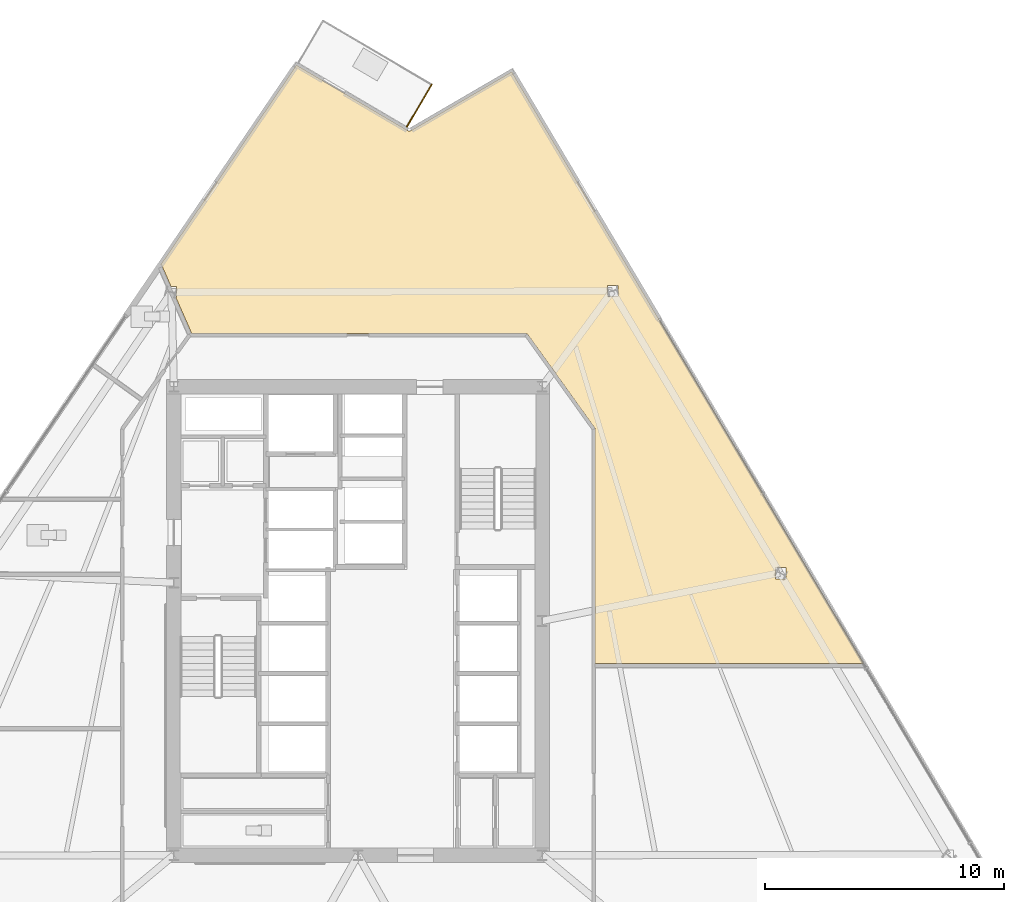
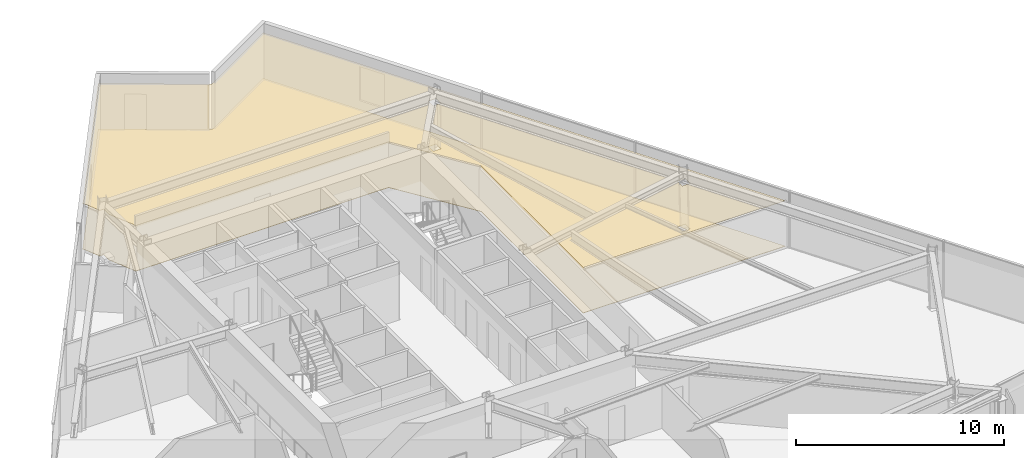
# One storey, part 17 of 18: 2 coverings, 1 railing.
"""IFC4 building model written with IfcOpenShell, lengths in metres."""

import ifcopenshell
import ifcopenshell.guid

model = None  # the IFC model being written
_history = None  # IfcOwnerHistory: only IFC2X3 demands one
_inside = {}  # id of a spatial element -> (the spatial element, [elements in it])
_under = {}  # id of a project, library or spatial element -> (it, [spatial elements below it])
_declared = {}  # id of a project -> (the project, [libraries it declares])
_typed = {}  # id of a type object -> (the type object, [elements of that type])
_made_of = {}  # id of a material, layer set ... -> (it, [elements and type objects made of it])


def new_model(schema):
    """Start an empty IFC model of exactly this schema.

    Asked for "IFC4X3", IfcOpenShell would pick the latest addendum, in which some entities
    have other attributes; the version numbers below select the first issue.
    IFC2X3 requires an IfcOwnerHistory on every rooted entity: one is made here for all.
    """
    global model, _history
    if schema == "IFC4X3":
        model = ifcopenshell.file(schema_version=(4, 3, 0, 0))
    else:
        model = ifcopenshell.file(schema=schema)
    _inside.clear()
    _under.clear()
    _declared.clear()
    _typed.clear()
    _made_of.clear()
    _history = None
    if model.schema == "IFC2X3":
        org = make("IfcOrganization", Name="unknown")
        user = make(
            "IfcPersonAndOrganization",
            ThePerson=make("IfcPerson", FamilyName="unknown"),
            TheOrganization=org,
        )
        app = make(
            "IfcApplication",
            ApplicationDeveloper=org,
            Version="unknown",
            ApplicationFullName="unknown",
            ApplicationIdentifier="unknown",
        )
        _history = make(
            "IfcOwnerHistory",
            OwningUser=user,
            OwningApplication=app,
            ChangeAction="ADDED",
            CreationDate=0,
        )
    return model


def make(cls, **values):
    """One entity of the class cls with the attributes given. An attribute that is None is left unset."""
    return model.create_entity(
        cls, **{name: value for name, value in values.items() if value is not None}
    )


def rooted(cls, **values):
    """An entity with a GlobalId (a new one), such as an element, a storey or a relation."""
    return make(cls, GlobalId=ifcopenshell.guid.new(), OwnerHistory=_history, **values)


def si_unit(unit_type, name, prefix=None):
    """IfcSIUnit, for example si_unit("LENGTHUNIT", "METRE", prefix="MILLI")."""
    return make("IfcSIUnit", UnitType=unit_type, Prefix=prefix, Name=name)


def assignment(units):
    """IfcUnitAssignment: the units of a project."""
    return None if units is None else make("IfcUnitAssignment", Units=units)


def point(xyz):
    """IfcCartesianPoint."""
    return None if xyz is None else make("IfcCartesianPoint", Coordinates=xyz)


def direction(xyz):
    """IfcDirection."""
    return None if xyz is None else make("IfcDirection", DirectionRatios=xyz)


def frame(location, z_axis=None, x_axis=None):
    """IfcAxis2Placement3D, a coordinate frame: its origin and axes. An axis left out is left unset."""
    return make(
        "IfcAxis2Placement3D",
        Location=point(location),
        Axis=direction(z_axis),
        RefDirection=direction(x_axis),
    )


def frame_2d(location, x_axis=None):
    """IfcAxis2Placement2D, a coordinate frame in the plane: its origin and x axis."""
    return make(
        "IfcAxis2Placement2D", Location=point(location), RefDirection=direction(x_axis)
    )


def origin():
    """The frame at (0, 0, 0) with its axes left unset."""
    return frame((0.0, 0.0, 0.0))


def origin_2d():
    """The frame at (0, 0) in the plane with its x axis left unset."""
    return frame_2d((0.0, 0.0))


def place(relative_to, where):
    """IfcLocalPlacement: puts the frame where relative to a parent placement (None: the world)."""
    return make(
        "IfcLocalPlacement", PlacementRelTo=relative_to, RelativePlacement=where
    )


def context(
    kind, dimensions, precision=None, world=None, true_north=None, identifier=None
):
    """IfcGeometricRepresentationContext, for example the 3D "Model" context."""
    return make(
        "IfcGeometricRepresentationContext",
        ContextIdentifier=identifier,
        ContextType=kind,
        CoordinateSpaceDimension=dimensions,
        Precision=precision,
        WorldCoordinateSystem=world,
        TrueNorth=true_north,
    )


def subcontext(parent, identifier, kind, view, scale=None):
    """IfcGeometricRepresentationSubContext, for example "Body" below "Model"."""
    return make(
        "IfcGeometricRepresentationSubContext",
        ContextIdentifier=identifier,
        ContextType=kind,
        ParentContext=parent,
        TargetScale=scale,
        TargetView=view,
    )


def project(units=None, contexts=None):
    """IfcProject with its units and contexts."""
    return rooted(
        "IfcProject",
        Name="project",
        RepresentationContexts=contexts,
        UnitsInContext=assignment(units),
    )


def spatial(cls, under=None, at=None, **own):
    """A site, building, storey or space (cls), placed at a placement, below another one or the project."""
    s = rooted(cls, ObjectPlacement=at, **own)
    if under is not None:
        _under.setdefault(under.id(), (under, []))[1].append(s)
    return s


def polyline(points):
    """IfcPolyline through the points."""
    return make("IfcPolyline", Points=[point(p) for p in points])


def profile(cls, at=None, kind="AREA", **sizes):
    """A parametric profile (cls). Its sizes go by their IFC names, for example OverallWidth=200.0."""
    return make(cls, ProfileType=kind, Position=at, **sizes)


def circle(**sizes):
    """IfcCircleProfileDef."""
    return profile("IfcCircleProfileDef", **sizes)


def outline(outer, holes=None, kind="AREA"):
    """IfcArbitraryClosedProfileDef: a profile drawn as a closed curve; with holes, ...WithVoids."""
    if holes is None:
        return make("IfcArbitraryClosedProfileDef", ProfileType=kind, OuterCurve=outer)
    return make(
        "IfcArbitraryProfileDefWithVoids",
        ProfileType=kind,
        OuterCurve=outer,
        InnerCurves=holes,
    )


def extrude(swept, where, along, depth):
    """IfcExtrudedAreaSolid: the profile swept, set in the frame where, extruded along a direction by depth."""
    return make(
        "IfcExtrudedAreaSolid",
        SweptArea=swept,
        Position=where,
        ExtrudedDirection=direction(along),
        Depth=depth,
    )


def shape(context_of_items, identifier, shape_type, items):
    """IfcShapeRepresentation: the items that make up one representation, for example the "Body"."""
    return make(
        "IfcShapeRepresentation",
        ContextOfItems=context_of_items,
        RepresentationIdentifier=identifier,
        RepresentationType=shape_type,
        Items=items,
    )


def material(Name=None, Category=None):
    """IfcMaterial."""
    return make("IfcMaterial", Name=Name, Category=Category)


def layer(
    of_material, thickness, ventilated=None, Name=None, Category=None, Priority=None
):
    """IfcMaterialLayer: one layer of a wall or slab, of a material (None: an air gap)."""
    return make(
        "IfcMaterialLayer",
        Material=of_material,
        LayerThickness=thickness,
        IsVentilated=ventilated,
        Name=Name,
        Category=Category,
        Priority=Priority,
    )


def layer_set(layers, Name=None):
    """IfcMaterialLayerSet."""
    return make("IfcMaterialLayerSet", MaterialLayers=layers, LayerSetName=Name)


def made_of(thing, what):
    """Note that an element or type object is made of a material, layer set ...; save() writes the relation."""
    if what is not None:
        _made_of.setdefault(what.id(), (what, []))[1].append(thing)
    return thing


def type_object(cls, material=None, **own):
    """A type object (cls), such as IfcWallType, which elements share."""
    return made_of(rooted(cls, **own), material)


def element(
    cls,
    number,
    at=None,
    inside=None,
    cuts=None,
    type_object=None,
    material=None,
    context=None,
    identifier="Body",
    shape_type=None,
    held_by="IfcProductDefinitionShape",
    body=None,
    shapes=None,
    **own,
):
    """One element of the class cls, such as IfcWall. Its Tag is "e" and its number.

    at: its placement. inside: the storey or other place that contains it. cuts: it is an
    opening in that element (IfcRelVoidsElement). A single representation is given by context,
    identifier, shape_type and body (its items); several are given by shapes. held_by: the class
    of the entity that holds the representations. save() writes the other relations.
    """
    e = rooted(cls, Tag="e%d" % number, ObjectPlacement=at, **own)
    if body is not None:
        shapes = [shape(context, identifier, shape_type, body)]
    if shapes is not None:
        e.Representation = make(held_by, Representations=shapes)
    if inside is not None:
        _inside.setdefault(inside.id(), (inside, []))[1].append(e)
    if cuts is not None:
        rooted(
            "IfcRelVoidsElement", RelatingBuildingElement=cuts, RelatedOpeningElement=e
        )
    if type_object is not None:
        _typed.setdefault(type_object.id(), (type_object, []))[1].append(e)
    return made_of(e, material)


def aggregate(whole, parts):
    """IfcRelAggregates: a whole, such as a stair, and the parts it consists of."""
    return rooted("IfcRelAggregates", RelatingObject=whole, RelatedObjects=parts)


def save(model, path):
    """Write the relations noted so far, then the file.

    IfcRelAggregates (storeys below a building ...), IfcRelContainedInSpatialStructure (elements
    in a storey), IfcRelDefinesByType, IfcRelAssociatesMaterial and IfcRelDeclares: one each for
    every whole, place, type object, material and project.
    """
    for whole, parts in _under.values():
        aggregate(whole, parts)
    for where, things in _inside.values():
        rooted(
            "IfcRelContainedInSpatialStructure",
            RelatedElements=things,
            RelatingStructure=where,
        )
    for kind, things in _typed.values():
        rooted("IfcRelDefinesByType", RelatedObjects=things, RelatingType=kind)
    for what, things in _made_of.values():
        rooted("IfcRelAssociatesMaterial", RelatedObjects=things, RelatingMaterial=what)
    for by, libraries in _declared.values():
        rooted("IfcRelDeclares", RelatingContext=by, RelatedDefinitions=libraries)
    model.write(path)


model = new_model("IFC4")

# Units and contexts
model_context = context("Model", 3, precision=1e-05, world=origin(), true_north=direction((0.0, 1.0)))
body_context = subcontext(model_context, "Body", "Model", "MODEL_VIEW")
ifc_project = project(units=[si_unit("LENGTHUNIT", "METRE"), si_unit("AREAUNIT", "SQUARE_METRE"), si_unit("VOLUMEUNIT", "CUBIC_METRE"), si_unit("PLANEANGLEUNIT", "RADIAN"), si_unit("MASSUNIT", "GRAM", prefix="KILO")], contexts=[model_context])

# Site, building, storey
site_placement = place(None, origin())
site = spatial("IfcSite", under=ifc_project, at=site_placement, CompositionType="ELEMENT")
building_placement = place(site_placement, origin())
building = spatial("IfcBuilding", under=site, at=building_placement, Name="Savorim Split Tower", CompositionType="ELEMENT")
storey_placement = place(building_placement, frame((0.0, 0.0, 44.39990234375)))
storey = spatial("IfcBuildingStorey", under=building, at=storey_placement, Name="L11", CompositionType="ELEMENT", Elevation=44.39990234375)

# Coverings
ifc_material_1 = material(Name="Mineral Fibre Acoustic Ceiling")
ifc_layer_1 = layer(ifc_material_1, 0.02490234375)
ifc_layer_set_1 = layer_set([ifc_layer_1], Name="COV-CEIL-25")
covering_type_1 = type_object("IfcCoveringType", Name="COV-CEIL-25", PredefinedType="CEILING", material=ifc_layer_set_1)
covering_1_placement = place(storey_placement, frame((0.0, 0.0, 2.670166015625)))
element("IfcCovering", 1, at=covering_1_placement, inside=storey, type_object=covering_type_1, Name="L11 Co-Working Commons Acoustic Ceiling", PredefinedType="CEILING", context=body_context, shape_type="SweptSolid", body=[
    extrude(outline(polyline([(2.110107421875, 20.895263671875), (2.099365234375, 20.899658203125), (2.089111328125, 20.90478515625), (-2.572509765625, 23.644775390625), (-8.255859375, 15.290283203125), (-8.2216796875, 15.30517578125), (-7.81640625, 14.38427734375), (-7.599853515625, 14.38427734375), (-7.599853515625, 13.918212890625), (-7.611572265625, 13.918212890625), (-6.96484375, 12.447998046875), (-6.952392578125, 12.419921875), (7.0, 12.419921875), (7.01318359375, 12.41943359375), (7.0263671875, 12.41748046875), (7.039306640625, 12.414306640625), (7.052001953125, 12.409912109375), (7.06396484375, 12.404541015625), (7.075439453125, 12.39794921875), (7.086181640625, 12.39013671875), (7.096435546875, 12.381591796875), (7.105712890625, 12.3720703125), (7.11376953125, 12.361572265625), (9.893798828125, 8.4814453125), (9.901611328125, 8.46923828125), (9.908203125, 8.456298828125), (9.913330078125, 8.44287109375), (9.9169921875, 8.4287109375), (9.919189453125, 8.41455078125), (9.919921875, 8.39990234375), (9.919921875, -1.370361328125), (21.1396484375, -1.370361328125), (6.431396484375, 23.36474609375), (2.21044921875, 20.90478515625), (2.2001953125, 20.8994140625), (2.189453125, 20.89501953125), (2.178466796875, 20.891845703125), (2.1669921875, 20.8896484375), (2.155517578125, 20.888427734375), (2.14404296875, 20.888427734375), (2.132568359375, 20.8896484375), (2.12109375, 20.891845703125), (2.110107421875, 20.895263671875)]), holes=[polyline([(17.89208984375, 2.15869140625), (17.89208984375, 2.624755859375), (17.4560546875, 2.624755859375), (17.4560546875, 2.15869140625), (17.89208984375, 2.15869140625)]), polyline([(10.87060546875, 14.43310546875), (10.4345703125, 14.43310546875), (10.4345703125, 13.967041015625), (10.87060546875, 13.967041015625), (10.87060546875, 14.43310546875)])]), origin(), (0.0, 0.0, 1.0), 0.02490234375),
])
ifc_material_2 = material(Name="Porcelain Stoneware Flooring", Category="masonry")
ifc_layer_2 = layer(ifc_material_2, 0.02001953125)
ifc_layer_set_2 = layer_set([ifc_layer_2], Name="COV-FLOR-20")
covering_type_2 = type_object("IfcCoveringType", Name="COV-FLOR-20", PredefinedType="FLOORING", material=ifc_layer_set_2)
covering_2_placement = place(storey_placement, origin())
element("IfcCovering", 2, at=covering_2_placement, inside=storey, type_object=covering_type_2, Name="L11 Co-Working Commons Porcelain Flooring", PredefinedType="FLOORING", context=body_context, shape_type="SweptSolid", body=[
    extrude(outline(polyline([(2.110107421875, 20.895263671875), (2.099365234375, 20.899658203125), (2.089111328125, 20.90478515625), (-2.572509765625, 23.644775390625), (-8.255859375, 15.290283203125), (-8.2216796875, 15.30517578125), (-7.81640625, 14.38427734375), (-7.599853515625, 14.38427734375), (-7.599853515625, 13.918212890625), (-7.611572265625, 13.918212890625), (-6.96484375, 12.447998046875), (-6.952392578125, 12.419921875), (7.0, 12.419921875), (7.01318359375, 12.41943359375), (7.0263671875, 12.41748046875), (7.039306640625, 12.414306640625), (7.052001953125, 12.409912109375), (7.06396484375, 12.404541015625), (7.075439453125, 12.39794921875), (7.086181640625, 12.39013671875), (7.096435546875, 12.381591796875), (7.105712890625, 12.3720703125), (7.11376953125, 12.361572265625), (9.893798828125, 8.4814453125), (9.901611328125, 8.46923828125), (9.908203125, 8.456298828125), (9.913330078125, 8.44287109375), (9.9169921875, 8.4287109375), (9.919189453125, 8.41455078125), (9.919921875, 8.39990234375), (9.919921875, -1.370361328125), (21.1396484375, -1.370361328125), (6.431396484375, 23.36474609375), (2.21044921875, 20.90478515625), (2.2001953125, 20.8994140625), (2.189453125, 20.89501953125), (2.178466796875, 20.891845703125), (2.1669921875, 20.8896484375), (2.155517578125, 20.888427734375), (2.14404296875, 20.888427734375), (2.132568359375, 20.8896484375), (2.12109375, 20.891845703125), (2.110107421875, 20.895263671875)]), holes=[polyline([(17.89208984375, 2.15869140625), (17.89208984375, 2.624755859375), (17.4560546875, 2.624755859375), (17.4560546875, 2.15869140625), (17.89208984375, 2.15869140625)]), polyline([(10.87060546875, 14.43310546875), (10.4345703125, 14.43310546875), (10.4345703125, 13.967041015625), (10.87060546875, 13.967041015625), (10.87060546875, 14.43310546875)])]), origin(), (0.0, 0.0, 1.0), 0.02001953125),
])

# Railing
ifc_material_3 = material(Name="Galvanised Painted Steel Balustrade", Category="steel")
railing_type = type_object("IfcRailingType", Name="RLG-BAL-1100", PredefinedType="BALUSTRADE", material=ifc_material_3)
railing_placement = place(storey_placement, frame((3.085205078125, 22.836669921875, 0.0)))
element("IfcRailing", 3, at=railing_placement, inside=storey, type_object=railing_type, Name="L11 Tree Balcony Guardrail N-3", PredefinedType="BALUSTRADE", context=body_context, shape_type="SweptSolid", body=[
    extrude(circle(Radius=0.02392578125, at=origin_2d()), frame((0.0, 0.0, 1.076171875), z_axis=(-0.506681829236, -0.862133124246, 0.0), x_axis=(0.862133124246, -0.506681829236, 0.0)), (0.0, 0.0, 1.0), 2.05029296875),
    extrude(circle(Radius=0.02099609375, at=origin_2d()), origin(), (0.0, 0.0, 1.0), 1.052001953125),
    extrude(circle(Radius=0.02099609375, at=origin_2d()), frame((-0.51953125, -0.8837890625, 0.0)), (0.0, 0.0, 1.0), 1.052001953125),
    extrude(circle(Radius=0.02099609375, at=origin_2d()), frame((-1.038818359375, -1.767578125, 0.0)), (0.0, 0.0, 1.0), 1.052001953125),
])

save(model, "model.ifc")
